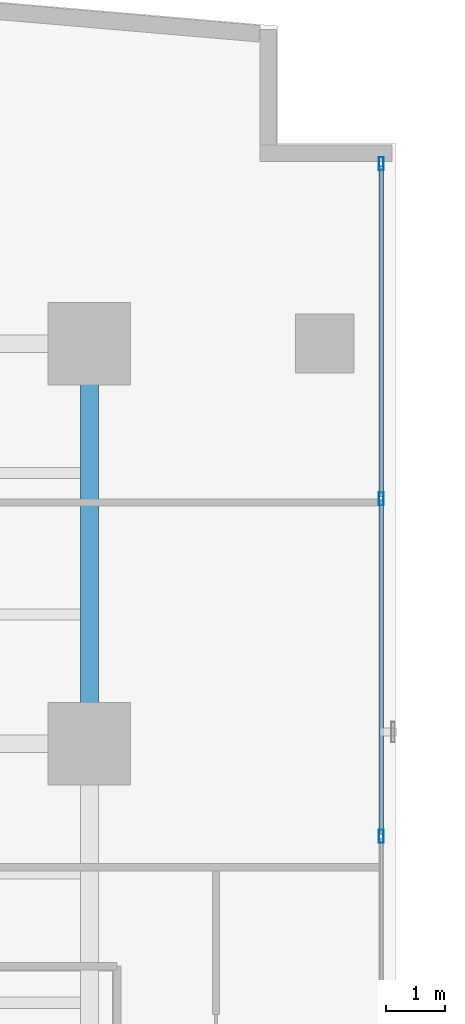
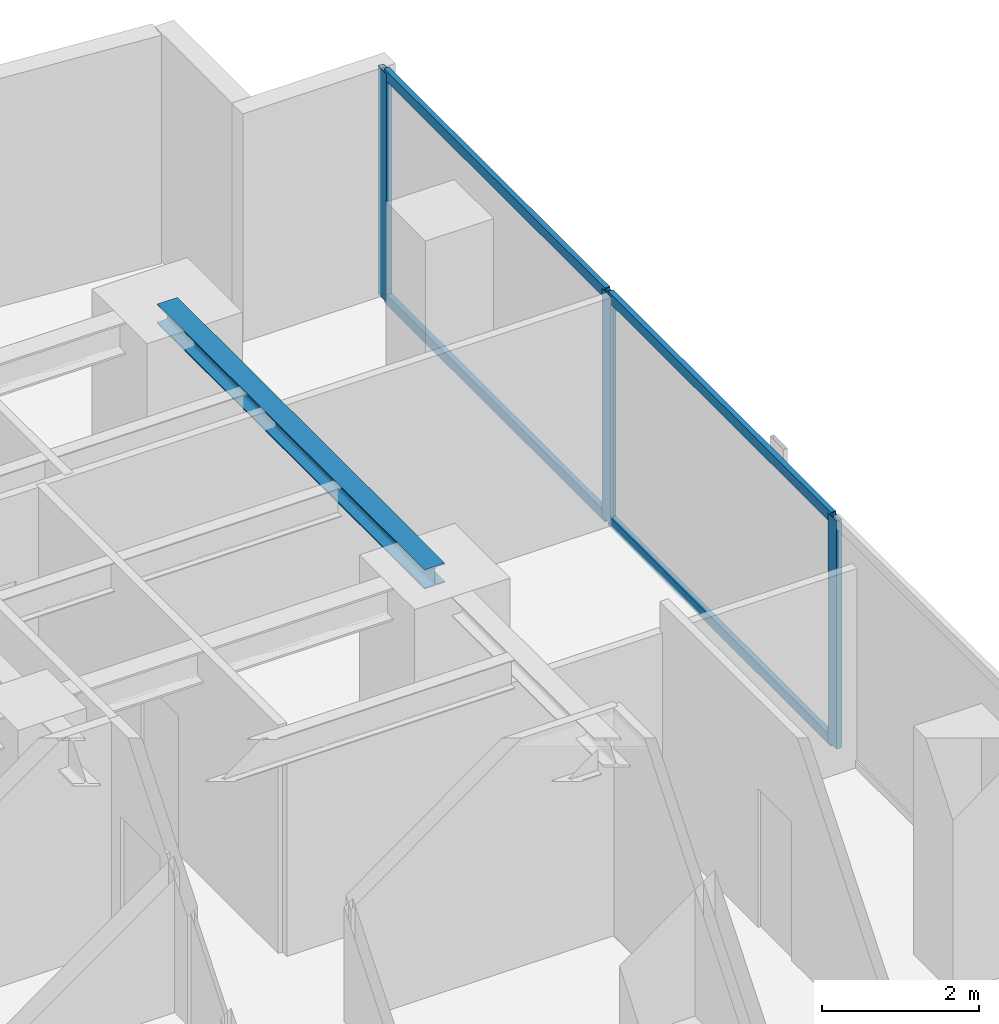
# One storey, part 19 of 28: 7 members, 1 beam, 1 element without a shape of its own.
"""IFC4 building model written with IfcOpenShell, lengths in metres."""

from ifc_helpers import new_model, si_unit, direction, frame, origin, origin_with_axes, origin_2d, place, context, subcontext, project, spatial, hollow_rectangle, i_section, extrude, source, transform, mapped, material, layer, layer_set, material_profile, profile_set, type_object, element, aggregate, save


model = new_model("IFC4")

# Units and contexts
model_context = context("Model", 3, precision=1e-05, world=origin(), true_north=direction((0.0, 1.0)))
body_context = subcontext(model_context, "Body", "Model", "MODEL_VIEW")
ifc_project = project(units=[si_unit("LENGTHUNIT", "METRE"), si_unit("AREAUNIT", "SQUARE_METRE"), si_unit("VOLUMEUNIT", "CUBIC_METRE"), si_unit("PLANEANGLEUNIT", "RADIAN"), si_unit("MASSUNIT", "GRAM", prefix="KILO")], contexts=[model_context])

# Site, building, storey
site_placement = place(None, origin())
site = spatial("IfcSite", under=ifc_project, at=site_placement, CompositionType="ELEMENT")
building_placement = place(site_placement, origin())
building = spatial("IfcBuilding", under=site, at=building_placement, Name="Kolvaren Waterfront Exchange", CompositionType="ELEMENT")
storey_placement = place(building_placement, frame((0.0, 0.0, 114.5)))
storey = spatial("IfcBuildingStorey", under=building, at=storey_placement, Name="L29", CompositionType="ELEMENT", Elevation=114.5)

# Beam
ifc_material_1 = material(Name="Steel S355", Category="steel")
ifc_material_profile_1 = material_profile(ifc_material_1, i_section(OverallWidth=0.300048828125, OverallDepth=0.300048828125, WebThickness=0.010986328125, FlangeThickness=0.01904296875, FilletRadius=0.027099609375, at=origin_2d()), Name="HEB300")
ifc_profile_set_1 = profile_set([ifc_material_profile_1], Name="Steel S355")
beam_type = type_object("IfcBeamType", Name="STR-BM-HEB300", PredefinedType="SPANDREL", material=ifc_profile_set_1)
beam_placement = place(storey_placement, frame((18.800048828125, 37.800048828125, 3.389892578125), z_axis=(0.0, 1.0, 0.0), x_axis=(-1.0, 0.0, 0.0)))
element("IfcBeam", 1, at=beam_placement, inside=storey, type_object=beam_type, Name="L29 north-arm edge beam 3", PredefinedType="SPANDREL", context=body_context, shape_type="SweptSolid", body=[
    extrude(i_section(OverallWidth=0.300048828125, OverallDepth=0.300048828125, WebThickness=0.010986328125, FlangeThickness=0.01904296875, FilletRadius=0.027099609375, at=origin_2d()), origin(), (0.0, 0.0, 1.0), 6.800048828125),
])

# Curtain wall, members
ifc_material_2 = material(Name="Anodised bronze aluminium 6063-T6", Category="aluminium")
ifc_layer = layer(ifc_material_2, 0.219970703125, Name="Anodised bronze aluminium 6063-T6")
ifc_layer_set = layer_set([ifc_layer], Name="Anodised bronze aluminium 6063-T6")
curtain_wall_type = type_object("IfcCurtainWallType", Name="ARC-CW-SYS1", PredefinedType="USERDEFINED", material=ifc_layer_set)
curtain_wall_placement = place(storey_placement, origin())
curtain_wall = element("IfcCurtainWall", 2, at=curtain_wall_placement, inside=storey, type_object=curtain_wall_type, Name="L29 stick curtain wall CW1 (CW-L29-NE)", ObjectType="STICK CURTAIN WALL", PredefinedType="USERDEFINED")
ifc_material_3 = material(Name="Anodised aluminium 6063-T6", Category="aluminium")
ifc_material_profile_2 = material_profile(ifc_material_3, hollow_rectangle(XDim=0.080078125, YDim=0.219970703125, WallThickness=0.0048828125, at=origin_2d()), Name="ALU-MUL-220x80x5")
ifc_profile_set_2 = profile_set([ifc_material_profile_2], Name="Anodised aluminium 6063-T6")
member_type_1 = type_object("IfcMemberType", Name="ARC-CWM-220", PredefinedType="MULLION", material=ifc_profile_set_2)
shared_shape_1 = source(origin_with_axes(), body_context, "Body", "SweptSolid", [
    extrude(hollow_rectangle(XDim=0.080078125, YDim=0.219970703125, WallThickness=0.0048828125, at=origin_2d()), origin(), (0.0, 0.0, 1.0), 3.5400390625),
])
member_1_placement = place(storey_placement, frame((23.760009765625, 36.2265625, 0.0), z_axis=(0.0, 0.0, 1.0), x_axis=(-1.0, 0.0, 0.0)))
member_1 = element("IfcMember", 3, at=member_1_placement, type_object=member_type_1, Name="CW1 mullion 2", PredefinedType="MULLION", context=body_context, shape_type="MappedRepresentation", body=[
    mapped(shared_shape_1, transform((0.0, 0.0, 0.0), x_axis=(1.0, 0.0, 0.0), y_axis=(0.0, 1.0, 0.0), z_axis=(0.0, 0.0, 1.0), scale=1.0)),
])
member_2_placement = place(storey_placement, frame((23.760009765625, 41.96337890625, 0.0), z_axis=(0.0, 0.0, 1.0), x_axis=(-1.0, 0.0, 0.0)))
member_2 = element("IfcMember", 4, at=member_2_placement, type_object=member_type_1, Name="CW1 mullion 3", PredefinedType="MULLION", context=body_context, shape_type="MappedRepresentation", body=[
    mapped(shared_shape_1, transform((0.0, 0.0, 0.0), x_axis=(1.0, 0.0, 0.0), y_axis=(0.0, 1.0, 0.0), z_axis=(0.0, 0.0, 1.0), scale=1.0)),
])
member_3_placement = place(storey_placement, frame((23.760009765625, 47.659912109375, 0.0), z_axis=(0.0, 0.0, 1.0), x_axis=(-1.0, 0.0, 0.0)))
member_3 = element("IfcMember", 5, at=member_3_placement, type_object=member_type_1, Name="CW1 mullion 4", PredefinedType="MULLION", context=body_context, shape_type="MappedRepresentation", body=[
    mapped(shared_shape_1, transform((0.0, 0.0, 0.0), x_axis=(1.0, 0.0, 0.0), y_axis=(0.0, 1.0, 0.0), z_axis=(0.0, 0.0, 1.0), scale=1.0)),
])
ifc_material_profile_3 = material_profile(ifc_material_3, hollow_rectangle(XDim=0.074951171875, YDim=0.159912109375, WallThickness=0.00439453125, at=origin_2d()), Name="ALU-TRN-160x75x4.5")
ifc_profile_set_3 = profile_set([ifc_material_profile_3], Name="Anodised aluminium 6063-T6")
member_type_2 = type_object("IfcMemberType", Name="ARC-CWT-160", PredefinedType="USERDEFINED", material=ifc_profile_set_3)
shared_shape_2 = source(origin_with_axes(), body_context, "Body", "SweptSolid", [
    extrude(hollow_rectangle(XDim=0.074951171875, YDim=0.159912109375, WallThickness=0.00439453125, at=origin_2d()), origin(), (0.0, 0.0, 1.0), 5.61669921875),
])
member_4_placement = place(storey_placement, frame((23.760009765625, 42.00341796875, 0.03759765625), z_axis=(0.0, 1.0, 0.0), x_axis=(-1.0, 0.0, 0.0)))
member_4 = element("IfcMember", 6, at=member_4_placement, type_object=member_type_2, Name="CW1 transom 3.1", ObjectType="TRANSOM", PredefinedType="USERDEFINED", context=body_context, shape_type="MappedRepresentation", body=[
    mapped(shared_shape_2, transform((0.0, 0.0, 0.0), x_axis=(1.0, 0.0, 0.0), y_axis=(0.0, 1.0, 0.0), z_axis=(0.0, 0.0, 1.0), scale=1.0)),
])
member_5_placement = place(storey_placement, frame((23.760009765625, 42.00341796875, 3.50244140625), z_axis=(0.0, 1.0, 0.0), x_axis=(-1.0, 0.0, 0.0)))
member_5 = element("IfcMember", 7, at=member_5_placement, type_object=member_type_2, Name="CW1 transom 3.2", ObjectType="TRANSOM", PredefinedType="USERDEFINED", context=body_context, shape_type="MappedRepresentation", body=[
    mapped(shared_shape_2, transform((0.0, 0.0, 0.0), x_axis=(1.0, 0.0, 0.0), y_axis=(0.0, 1.0, 0.0), z_axis=(0.0, 0.0, 1.0), scale=1.0)),
])
shared_shape_3 = source(origin_with_axes(), body_context, "Body", "SweptSolid", [
    extrude(hollow_rectangle(XDim=0.074951171875, YDim=0.159912109375, WallThickness=0.00439453125, at=origin_2d()), origin(), (0.0, 0.0, 1.0), 5.65673828125),
])
member_6_placement = place(storey_placement, frame((23.760009765625, 36.2666015625, 0.03759765625), z_axis=(0.0, 1.0, 0.0), x_axis=(-1.0, 0.0, 0.0)))
member_6 = element("IfcMember", 8, at=member_6_placement, type_object=member_type_2, Name="CW1 transom 2.1", ObjectType="TRANSOM", PredefinedType="USERDEFINED", context=body_context, shape_type="MappedRepresentation", body=[
    mapped(shared_shape_3, transform((0.0, 0.0, 0.0), x_axis=(1.0, 0.0, 0.0), y_axis=(0.0, 1.0, 0.0), z_axis=(0.0, 0.0, 1.0), scale=1.0)),
])
member_7_placement = place(storey_placement, frame((23.760009765625, 36.2666015625, 3.50244140625), z_axis=(0.0, 1.0, 0.0), x_axis=(-1.0, 0.0, 0.0)))
member_7 = element("IfcMember", 9, at=member_7_placement, type_object=member_type_2, Name="CW1 transom 2.2", ObjectType="TRANSOM", PredefinedType="USERDEFINED", context=body_context, shape_type="MappedRepresentation", body=[
    mapped(shared_shape_3, transform((0.0, 0.0, 0.0), x_axis=(1.0, 0.0, 0.0), y_axis=(0.0, 1.0, 0.0), z_axis=(0.0, 0.0, 1.0), scale=1.0)),
])
aggregate(curtain_wall, [member_1, member_2, member_3, member_6, member_7, member_4, member_5])

save(model, "model.ifc")
